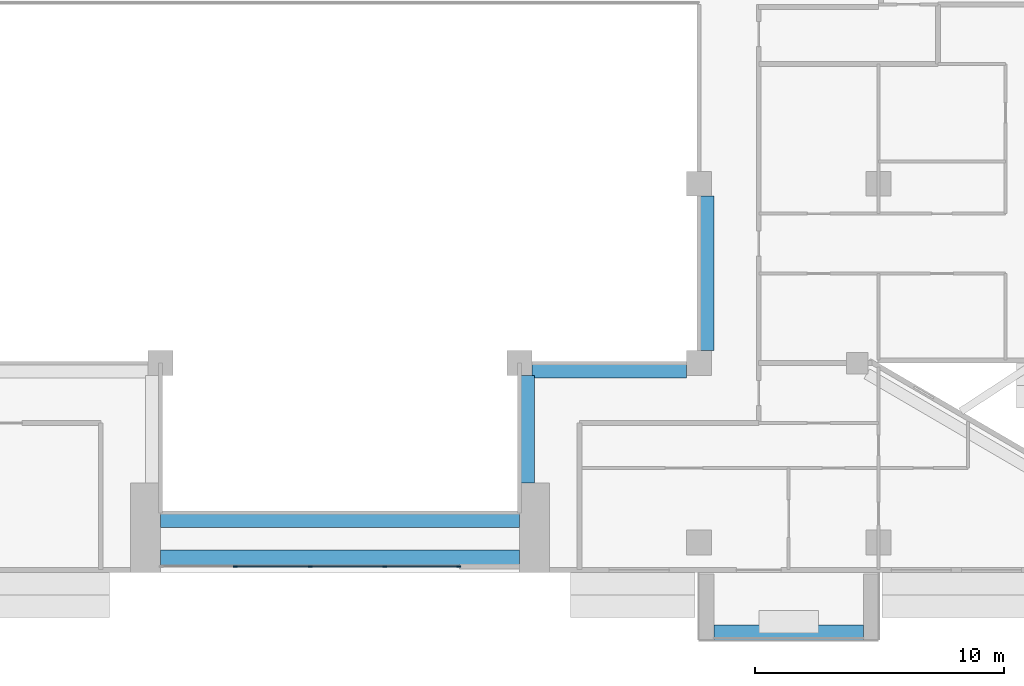
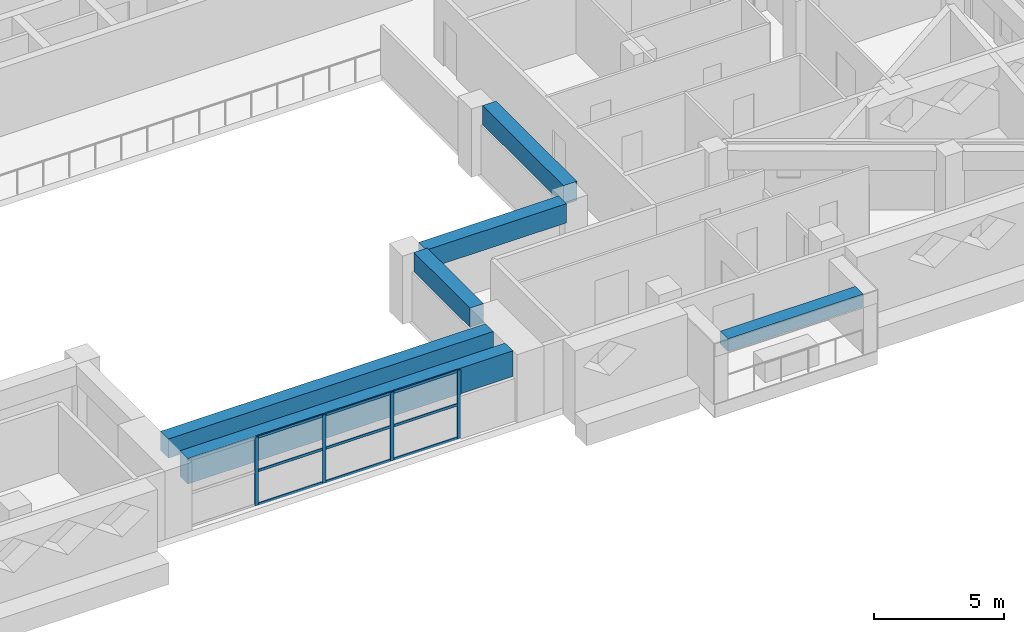
# One storey, part 4 of 20: 13 members, 6 beams, 1 element without a shape of its own.
"""IFC4 building model written with IfcOpenShell, lengths in metres."""

from ifc_helpers import new_model, si_unit, direction, frame, origin, origin_2d, place, context, subcontext, project, spatial, rectangle, extrude, source, transform, mapped, material, layer, layer_set, material_profile, profile_set, type_object, element, aggregate, save


model = new_model("IFC4")

# Units and contexts
model_context = context("Model", 3, precision=1e-05, world=origin(), true_north=direction((0.0, 1.0)))
body_context = subcontext(model_context, "Body", "Model", "MODEL_VIEW")
ifc_project = project(units=[si_unit("LENGTHUNIT", "METRE"), si_unit("AREAUNIT", "SQUARE_METRE"), si_unit("VOLUMEUNIT", "CUBIC_METRE"), si_unit("PLANEANGLEUNIT", "RADIAN"), si_unit("MASSUNIT", "GRAM", prefix="KILO")], contexts=[model_context])

# Site, building, storey
site_placement = place(None, origin())
site = spatial("IfcSite", under=ifc_project, at=site_placement, CompositionType="ELEMENT")
building_placement = place(site_placement, origin())
building = spatial("IfcBuilding", under=site, at=building_placement, Name="Saffron Iwan Residences", CompositionType="ELEMENT")
storey_placement = place(building_placement, frame((0.0, 0.0, 167.5)))
storey = spatial("IfcBuildingStorey", under=building, at=storey_placement, Name="L44", CompositionType="ELEMENT", Elevation=167.5)

# Beams
ifc_material_1 = material(Name="Concrete C50/60", Category="concrete")
ifc_material_profile_1 = material_profile(ifc_material_1, rectangle(XDim=0.60009765625, YDim=1.199951171875, at=origin_2d()), Name="RC 600x1200")
ifc_profile_set_1 = profile_set([ifc_material_profile_1], Name="Concrete C50/60")
beam_type_1 = type_object("IfcBeamType", Name="LINTEL BEAM RC 600x1200 C50/60 TOP 3200", PredefinedType="LINTEL", material=ifc_profile_set_1)
shared_shape_1 = source(origin(), body_context, "Body", "SweptSolid", [
    extrude(rectangle(XDim=0.60009765625, YDim=1.199951171875, at=origin_2d()), origin(), (0.0, 0.0, 1.0), 14.400146484375),
])
beam_1_placement = place(storey_placement, frame((57.60009765625, 40.199951171875, 2.60009765625), z_axis=(-1.0, 0.0, 0.0), x_axis=(0.0, -1.0, 0.0)))
element("IfcBeam", 1, at=beam_1_placement, inside=storey, type_object=beam_type_1, Name="Lintel beam over the iwan", PredefinedType="LINTEL", context=body_context, shape_type="MappedRepresentation", body=[
    mapped(shared_shape_1, transform((0.0, 0.0, 0.0))),
])
ifc_material_profile_2 = material_profile(ifc_material_1, rectangle(XDim=0.60009765625, YDim=0.89990234375, at=origin_2d()), Name="RC 600x900")
ifc_profile_set_2 = profile_set([ifc_material_profile_2], Name="Concrete C50/60")
beam_type_2 = type_object("IfcBeamType", Name="BEAM RC 600x900 C50/60 TOP 3200", PredefinedType="BEAM", material=ifc_profile_set_2)
shared_shape_2 = source(origin(), body_context, "Body", "SweptSolid", [
    extrude(rectangle(XDim=0.60009765625, YDim=0.89990234375, at=origin_2d()), origin(), (0.0, 0.0, 1.0), 14.400146484375),
])
beam_2_placement = place(storey_placement, frame((57.60009765625, 41.699951171875, 2.75), z_axis=(-1.0, 0.0, 0.0), x_axis=(0.0, -1.0, 0.0)))
element("IfcBeam", 2, at=beam_2_placement, inside=storey, type_object=beam_type_2, Name="Atrium edge beam", PredefinedType="BEAM", context=body_context, shape_type="MappedRepresentation", body=[
    mapped(shared_shape_2, transform((0.0, 0.0, 0.0))),
])
shared_shape_3 = source(origin(), body_context, "Body", "SweptSolid", [
    extrude(rectangle(XDim=0.60009765625, YDim=0.89990234375, at=origin_2d()), origin(), (0.0, 0.0, 1.0), 4.300048828125),
])
beam_3_placement = place(storey_placement, frame((57.89990234375, 47.5, 2.75), z_axis=(0.0, -1.0, 0.0), x_axis=(1.0, 0.0, 0.0)))
element("IfcBeam", 3, at=beam_3_placement, inside=storey, type_object=beam_type_2, Name="Atrium edge beam", PredefinedType="BEAM", context=body_context, shape_type="MappedRepresentation", body=[
    mapped(shared_shape_3, transform((0.0, 0.0, 0.0))),
])
shared_shape_4 = source(origin(), body_context, "Body", "SweptSolid", [
    extrude(rectangle(XDim=0.60009765625, YDim=0.89990234375, at=origin_2d()), origin(), (0.0, 0.0, 1.0), 6.199951171875),
])
for number, where, z_axis, x_axis, name in (
    (4, (64.300048828125, 47.699951171875, 2.75), (-1.0, 0.0, 0.0), (0.0, -1.0, 0.0), "Atrium edge beam"),
    (5, (65.10009765625, 54.699951171875, 2.75), (0.0, -1.0, 0.0), (1.0, 0.0, 0.0), "Atrium edge beam"),
):
    element("IfcBeam", number, at=place(storey_placement, frame(where, z_axis=z_axis, x_axis=x_axis)), inside=storey, type_object=beam_type_2, Name=name, PredefinedType="BEAM", context=body_context, shape_type="MappedRepresentation", body=[
        mapped(shared_shape_4, transform((0.0, 0.0, 0.0))),
    ])

# Curtain wall, members
ifc_material_2 = material(Name="Clear glass, laminated double glazed", Category="glass")
ifc_layer = layer(ifc_material_2, 0.199951171875)
ifc_layer_set = layer_set([ifc_layer], Name="Clear glass, laminated double glazed")
curtain_wall_type = type_object("IfcCurtainWallType", Name="CW-B IWAN PORTAL", PredefinedType="NOTDEFINED", material=ifc_layer_set)
curtain_wall_placement = place(storey_placement, origin())
curtain_wall = element("IfcCurtainWall", 6, at=curtain_wall_placement, inside=storey, type_object=curtain_wall_type, Name="Iwan portal glazing L44.1", PredefinedType="NOTDEFINED")
ifc_material_3 = material(Name="Aluminium 6063-T6", Category="aluminium")
ifc_material_profile_3 = material_profile(ifc_material_3, rectangle(XDim=0.06005859375, YDim=0.1201171875, at=origin_2d()), Name="CW-B TRANSOM 60 x 120")
ifc_profile_set_3 = profile_set([ifc_material_profile_3], Name="Aluminium 6063-T6")
member_type_1 = type_object("IfcMemberType", Name="CW-B TRANSOM 60 x 120", PredefinedType="USERDEFINED", material=ifc_profile_set_3)
shared_shape_5 = source(origin(), body_context, "Body", "SweptSolid", [
    extrude(rectangle(XDim=0.06005859375, YDim=0.1201171875, at=origin_2d()), origin(), (0.0, 0.0, 1.0), 2.909912109375),
])
member_1_placement = place(storey_placement, frame((52.22998046875, 39.85009765625, 0.030029296875), z_axis=(1.0, 0.0, 0.0), x_axis=(0.0, 1.0, 0.0)))
member_1 = element("IfcMember", 7, at=member_1_placement, type_object=member_type_1, Name="CW-B transom 4.1", ObjectType="TRANSOM", PredefinedType="USERDEFINED", context=body_context, shape_type="MappedRepresentation", body=[
    mapped(shared_shape_5, transform((0.0, 0.0, 0.0))),
])
member_2_placement = place(storey_placement, frame((52.22998046875, 39.85009765625, 1.60009765625), z_axis=(1.0, 0.0, 0.0), x_axis=(0.0, 1.0, 0.0)))
member_2 = element("IfcMember", 8, at=member_2_placement, type_object=member_type_1, Name="CW-B transom 4.2", ObjectType="TRANSOM", PredefinedType="USERDEFINED", context=body_context, shape_type="MappedRepresentation", body=[
    mapped(shared_shape_5, transform((0.0, 0.0, 0.0))),
])
member_3_placement = place(storey_placement, frame((52.22998046875, 39.85009765625, 3.169921875), z_axis=(1.0, 0.0, 0.0), x_axis=(0.0, 1.0, 0.0)))
member_3 = element("IfcMember", 9, at=member_3_placement, type_object=member_type_1, Name="CW-B transom 4.3", ObjectType="TRANSOM", PredefinedType="USERDEFINED", context=body_context, shape_type="MappedRepresentation", body=[
    mapped(shared_shape_5, transform((0.0, 0.0, 0.0))),
])
shared_shape_6 = source(origin(), body_context, "Body", "SweptSolid", [
    extrude(rectangle(XDim=0.06005859375, YDim=0.1201171875, at=origin_2d()), origin(), (0.0, 0.0, 1.0), 2.93994140625),
])
member_4_placement = place(storey_placement, frame((46.22998046875, 39.85009765625, 0.030029296875), z_axis=(1.0, 0.0, 0.0), x_axis=(0.0, 1.0, 0.0)))
member_4 = element("IfcMember", 10, at=member_4_placement, type_object=member_type_1, Name="CW-B transom 2.1", ObjectType="TRANSOM", PredefinedType="USERDEFINED", context=body_context, shape_type="MappedRepresentation", body=[
    mapped(shared_shape_6, transform((0.0, 0.0, 0.0))),
])
member_5_placement = place(storey_placement, frame((46.22998046875, 39.85009765625, 1.60009765625), z_axis=(1.0, 0.0, 0.0), x_axis=(0.0, 1.0, 0.0)))
member_5 = element("IfcMember", 11, at=member_5_placement, type_object=member_type_1, Name="CW-B transom 2.2", ObjectType="TRANSOM", PredefinedType="USERDEFINED", context=body_context, shape_type="MappedRepresentation", body=[
    mapped(shared_shape_6, transform((0.0, 0.0, 0.0))),
])
member_6_placement = place(storey_placement, frame((46.22998046875, 39.85009765625, 3.169921875), z_axis=(1.0, 0.0, 0.0), x_axis=(0.0, 1.0, 0.0)))
member_6 = element("IfcMember", 12, at=member_6_placement, type_object=member_type_1, Name="CW-B transom 2.3", ObjectType="TRANSOM", PredefinedType="USERDEFINED", context=body_context, shape_type="MappedRepresentation", body=[
    mapped(shared_shape_6, transform((0.0, 0.0, 0.0))),
])
member_7_placement = place(storey_placement, frame((49.22998046875, 39.85009765625, 0.030029296875), z_axis=(1.0, 0.0, 0.0), x_axis=(0.0, 1.0, 0.0)))
member_7 = element("IfcMember", 13, at=member_7_placement, type_object=member_type_1, Name="CW-B transom 3.1", ObjectType="TRANSOM", PredefinedType="USERDEFINED", context=body_context, shape_type="MappedRepresentation", body=[
    mapped(shared_shape_6, transform((0.0, 0.0, 0.0))),
])
member_8_placement = place(storey_placement, frame((49.22998046875, 39.85009765625, 1.60009765625), z_axis=(1.0, 0.0, 0.0), x_axis=(0.0, 1.0, 0.0)))
member_8 = element("IfcMember", 14, at=member_8_placement, type_object=member_type_1, Name="CW-B transom 3.2", ObjectType="TRANSOM", PredefinedType="USERDEFINED", context=body_context, shape_type="MappedRepresentation", body=[
    mapped(shared_shape_6, transform((0.0, 0.0, 0.0))),
])
member_9_placement = place(storey_placement, frame((49.22998046875, 39.85009765625, 3.169921875), z_axis=(1.0, 0.0, 0.0), x_axis=(0.0, 1.0, 0.0)))
member_9 = element("IfcMember", 15, at=member_9_placement, type_object=member_type_1, Name="CW-B transom 3.3", ObjectType="TRANSOM", PredefinedType="USERDEFINED", context=body_context, shape_type="MappedRepresentation", body=[
    mapped(shared_shape_6, transform((0.0, 0.0, 0.0))),
])

# Beam
ifc_material_4 = material(Name="Concrete C50/60 white painted", Category="concrete")
ifc_material_profile_4 = material_profile(ifc_material_4, rectangle(XDim=0.60009765625, YDim=0.60009765625, at=origin_2d()), Name="BALCONY FASCIA BEAM 600 x 600")
ifc_profile_set_4 = profile_set([ifc_material_profile_4], Name="Concrete C50/60 white painted")
beam_type_3 = type_object("IfcBeamType", Name="BALCONY FASCIA BEAM 600 x 600", PredefinedType="BEAM", material=ifc_profile_set_4)
shared_shape_7 = source(origin(), body_context, "Body", "SweptSolid", [
    extrude(rectangle(XDim=0.60009765625, YDim=0.60009765625, at=origin_2d()), origin(), (0.0, 0.0, 1.0), 6.0),
])
beam_4_placement = place(storey_placement, frame((65.39990234375, 37.199951171875, 2.550048828125), z_axis=(1.0, 0.0, 0.0), x_axis=(0.0, 1.0, 0.0)))
element("IfcBeam", 16, at=beam_4_placement, inside=storey, type_object=beam_type_3, Name="Balcony fascia beam L44 11-1", PredefinedType="BEAM", context=body_context, shape_type="MappedRepresentation", body=[
    mapped(shared_shape_7, transform((0.0, 0.0, 0.0))),
])

# Member
ifc_material_profile_5 = material_profile(ifc_material_3, rectangle(XDim=0.06005859375, YDim=0.159912109375, at=origin_2d()), Name="CW-B MULLION 60 x 160")
ifc_profile_set_5 = profile_set([ifc_material_profile_5], Name="Aluminium 6063-T6")
member_type_2 = type_object("IfcMemberType", Name="CW-B MULLION 60 x 160", PredefinedType="MULLION", material=ifc_profile_set_5)
shared_shape_8 = source(origin(), body_context, "Body", "SweptSolid", [
    extrude(rectangle(XDim=0.06005859375, YDim=0.159912109375, at=origin_2d()), origin(), (0.0, 0.0, 1.0), 3.199951171875),
])
member_10_placement = place(storey_placement, frame((46.199951171875, 39.85009765625, 0.0), z_axis=(0.0, 0.0, 1.0), x_axis=(0.0, 1.0, 0.0)))
member_10 = element("IfcMember", 17, at=member_10_placement, type_object=member_type_2, Name="CW-B mullion 2", PredefinedType="MULLION", context=body_context, shape_type="MappedRepresentation", body=[
    mapped(shared_shape_8, transform((0.0, 0.0, 0.0))),
])

member_11_placement = place(storey_placement, frame((49.199951171875, 39.85009765625, 0.0), z_axis=(0.0, 0.0, 1.0), x_axis=(0.0, 1.0, 0.0)))
member_11 = element("IfcMember", 18, at=member_11_placement, type_object=member_type_2, Name="CW-B mullion 3", PredefinedType="MULLION", context=body_context, shape_type="MappedRepresentation", body=[
    mapped(shared_shape_8, transform((0.0, 0.0, 0.0))),
])

member_12_placement = place(storey_placement, frame((52.199951171875, 39.85009765625, 0.0), z_axis=(0.0, 0.0, 1.0), x_axis=(0.0, 1.0, 0.0)))
member_12 = element("IfcMember", 19, at=member_12_placement, type_object=member_type_2, Name="CW-B mullion 4", PredefinedType="MULLION", context=body_context, shape_type="MappedRepresentation", body=[
    mapped(shared_shape_8, transform((0.0, 0.0, 0.0))),
])

member_13_placement = place(storey_placement, frame((55.169921875, 39.85009765625, 0.0), z_axis=(0.0, 0.0, 1.0), x_axis=(0.0, 1.0, 0.0)))
member_13 = element("IfcMember", 20, at=member_13_placement, type_object=member_type_2, Name="CW-B mullion 5", PredefinedType="MULLION", context=body_context, shape_type="MappedRepresentation", body=[
    mapped(shared_shape_8, transform((0.0, 0.0, 0.0))),
])

aggregate(curtain_wall, [member_10, member_11, member_12, member_13, member_4, member_5, member_6, member_7, member_8, member_9, member_1, member_2, member_3])

save(model, "model.ifc")
